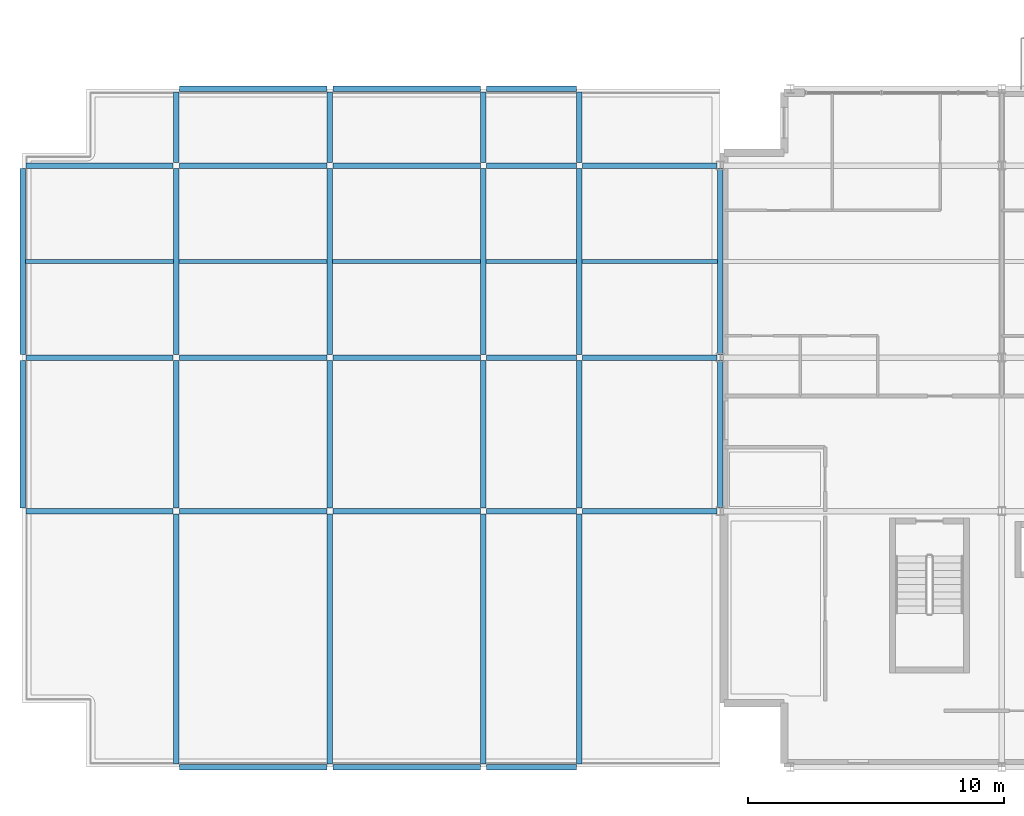
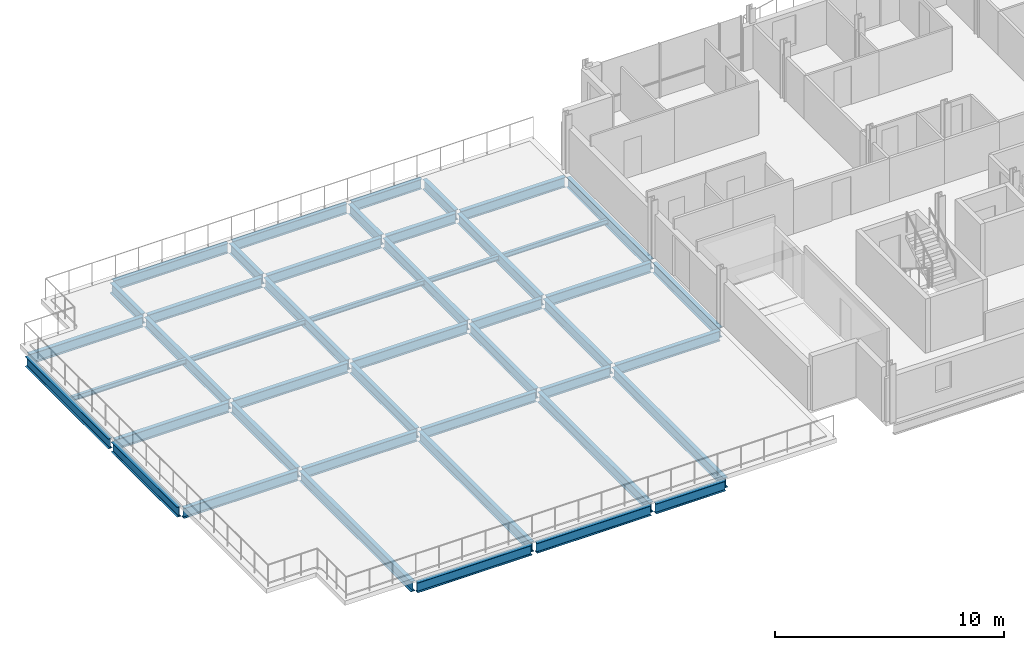
# One storey, part 2 of 17: 46 beams.
"""IFC4 building model written with IfcOpenShell, lengths in metres."""

from ifc_helpers import new_model, si_unit, direction, frame, origin, origin_2d, place, context, subcontext, project, spatial, i_section, extrude, material, material_profile, profile_set, type_object, element, save


model = new_model("IFC4")

# Units and contexts
model_context = context("Model", 3, precision=1e-05, world=origin(), true_north=direction((0.0, 1.0)))
body_context = subcontext(model_context, "Body", "Model", "MODEL_VIEW")
ifc_project = project(units=[si_unit("LENGTHUNIT", "METRE"), si_unit("AREAUNIT", "SQUARE_METRE"), si_unit("VOLUMEUNIT", "CUBIC_METRE"), si_unit("PLANEANGLEUNIT", "RADIAN"), si_unit("MASSUNIT", "GRAM", prefix="KILO")], contexts=[model_context])

# Site, building, storey
site_placement = place(None, origin())
site = spatial("IfcSite", under=ifc_project, at=site_placement, CompositionType="ELEMENT")
building_placement = place(site_placement, origin())
building = spatial("IfcBuilding", under=site, at=building_placement, Name="Brevholm Reach", CompositionType="ELEMENT")
storey_placement = place(building_placement, frame((0.0, 0.0, 221.10009765625)))
storey = spatial("IfcBuildingStorey", under=building, at=storey_placement, Name="L67", CompositionType="ELEMENT", Elevation=221.10009765625)

# Beams
ifc_material_1 = material(Name="Structural Steel S355J2", Category="steel")
ifc_material_profile_1 = material_profile(ifc_material_1, i_section(OverallWidth=0.14599609375, OverallDepth=0.25146484375, WebThickness=0.006103515625, FlangeThickness=0.008544921875, FilletRadius=0.007568359375, at=origin_2d()), Name="UKB 254x146x31")
ifc_profile_set_1 = profile_set([ifc_material_profile_1], Name="Structural Steel S355J2")
beam_type_1 = type_object("IfcBeamType", Name="BM-B254", PredefinedType="BEAM", material=ifc_profile_set_1)
beam_1_placement = place(storey_placement, frame((0.104736328125, 19.75, -0.335693359375), z_axis=(1.0, 0.0, 0.0), x_axis=(0.0, 1.0, 0.0)))
element("IfcBeam", 1, at=beam_1_placement, inside=storey, type_object=beam_type_1, Name="L67 Composite Secondary Floor Beam", PredefinedType="BEAM", context=body_context, shape_type="SweptSolid", body=[
    extrude(i_section(OverallWidth=0.14599609375, OverallDepth=0.25146484375, WebThickness=0.006103515625, FlangeThickness=0.008544921875, FilletRadius=0.007568359375, at=origin_2d()), origin(), (0.0, 0.0, 1.0), 5.789794921875),
])
for number, where, z_axis, x_axis, name in (
    (2, (6.10546875, 19.75, -0.335693359375), (1.0, 0.0, 0.0), (0.0, 1.0, 0.0), "L67 Composite Secondary Floor Beam"),
    (3, (12.10546875, 19.75, -0.335693359375), (1.0, 0.0, 0.0), (0.0, 1.0, 0.0), "L67 Composite Secondary Floor Beam"),
):
    element("IfcBeam", number, at=place(storey_placement, frame(where, z_axis=z_axis, x_axis=x_axis)), inside=storey, type_object=beam_type_1, Name=name, PredefinedType="BEAM", context=body_context, shape_type="SweptSolid", body=[
        extrude(i_section(OverallWidth=0.14599609375, OverallDepth=0.25146484375, WebThickness=0.006103515625, FlangeThickness=0.008544921875, FilletRadius=0.007568359375, at=origin_2d()), origin(), (0.0, 0.0, 1.0), 5.7890625),
    ])
beam_2_placement = place(storey_placement, frame((18.10546875, 19.75, -0.335693359375), z_axis=(1.0, 0.0, 0.0), x_axis=(0.0, 1.0, 0.0)))
element("IfcBeam", 4, at=beam_2_placement, inside=storey, type_object=beam_type_1, Name="L67 Composite Secondary Floor Beam", PredefinedType="BEAM", context=body_context, shape_type="SweptSolid", body=[
    extrude(i_section(OverallWidth=0.14599609375, OverallDepth=0.25146484375, WebThickness=0.006103515625, FlangeThickness=0.008544921875, FilletRadius=0.007568359375, at=origin_2d()), origin(), (0.0, 0.0, 1.0), 3.5390625),
])
beam_3_placement = place(storey_placement, frame((21.85546875, 19.75, -0.335693359375), z_axis=(1.0, 0.0, 0.0), x_axis=(0.0, 1.0, 0.0)))
element("IfcBeam", 5, at=beam_3_placement, inside=storey, type_object=beam_type_1, Name="L67 Composite Secondary Floor Beam", PredefinedType="BEAM", context=body_context, shape_type="SweptSolid", body=[
    extrude(i_section(OverallWidth=0.14599609375, OverallDepth=0.25146484375, WebThickness=0.006103515625, FlangeThickness=0.008544921875, FilletRadius=0.007568359375, at=origin_2d()), origin(), (0.0, 0.0, 1.0), 5.289794921875),
])
ifc_material_2 = material(Name="Structural Steel S355J2", Category="steel")
ifc_material_profile_2 = material_profile(ifc_material_2, i_section(OverallWidth=0.209228515625, OverallDepth=0.533203125, WebThickness=0.010009765625, FlangeThickness=0.015625, FilletRadius=0.0126953125, at=origin_2d()), Name="UKB 533x210x92")
ifc_profile_set_2 = profile_set([ifc_material_profile_2], Name="Structural Steel S355J2")
beam_type_2 = type_object("IfcBeamType", Name="BM-SP533", PredefinedType="SPANDREL", material=ifc_profile_set_2)
for number, where, z_axis, x_axis, name in (
    (6, (6.1201171875, 0.0, -0.4765625), (1.0, 0.0, 0.0), (0.0, 1.0, 0.0), "L67 SP-02 Framing Beam"),
    (7, (12.1201171875, 0.0, -0.4765625), (1.0, 0.0, 0.0), (0.0, 1.0, 0.0), "L67 SP-02 Framing Beam"),
):
    element("IfcBeam", number, at=place(storey_placement, frame(where, z_axis=z_axis, x_axis=x_axis)), inside=storey, type_object=beam_type_2, Name=name, PredefinedType="SPANDREL", context=body_context, shape_type="SweptSolid", body=[
        extrude(i_section(OverallWidth=0.209228515625, OverallDepth=0.533203125, WebThickness=0.010009765625, FlangeThickness=0.015625, FilletRadius=0.0126953125, at=origin_2d()), origin(), (0.0, 0.0, 1.0), 5.759765625),
    ])
beam_4_placement = place(storey_placement, frame((18.1201171875, 0.0, -0.4765625), z_axis=(1.0, 0.0, 0.0), x_axis=(0.0, 1.0, 0.0)))
element("IfcBeam", 8, at=beam_4_placement, inside=storey, type_object=beam_type_2, Name="L67 SP-02 Framing Beam", PredefinedType="SPANDREL", context=body_context, shape_type="SweptSolid", body=[
    extrude(i_section(OverallWidth=0.209228515625, OverallDepth=0.533203125, WebThickness=0.010009765625, FlangeThickness=0.015625, FilletRadius=0.0126953125, at=origin_2d()), origin(), (0.0, 0.0, 1.0), 3.509765625),
])
for number, where, z_axis, x_axis, name in (
    (9, (6.1201171875, 26.5, -0.4765625), (1.0, 0.0, 0.0), (0.0, 1.0, 0.0), "L67 SP-02 Framing Beam"),
    (10, (12.1201171875, 26.5, -0.4765625), (1.0, 0.0, 0.0), (0.0, 1.0, 0.0), "L67 SP-02 Framing Beam"),
):
    element("IfcBeam", number, at=place(storey_placement, frame(where, z_axis=z_axis, x_axis=x_axis)), inside=storey, type_object=beam_type_2, Name=name, PredefinedType="SPANDREL", context=body_context, shape_type="SweptSolid", body=[
        extrude(i_section(OverallWidth=0.209228515625, OverallDepth=0.533203125, WebThickness=0.010009765625, FlangeThickness=0.015625, FilletRadius=0.0126953125, at=origin_2d()), origin(), (0.0, 0.0, 1.0), 5.759765625),
    ])
beam_5_placement = place(storey_placement, frame((18.1201171875, 26.5, -0.4765625), z_axis=(1.0, 0.0, 0.0), x_axis=(0.0, 1.0, 0.0)))
element("IfcBeam", 11, at=beam_5_placement, inside=storey, type_object=beam_type_2, Name="L67 SP-02 Framing Beam", PredefinedType="SPANDREL", context=body_context, shape_type="SweptSolid", body=[
    extrude(i_section(OverallWidth=0.209228515625, OverallDepth=0.533203125, WebThickness=0.010009765625, FlangeThickness=0.015625, FilletRadius=0.0126953125, at=origin_2d()), origin(), (0.0, 0.0, 1.0), 3.509765625),
])
beam_6_placement = place(storey_placement, frame((0.0, 10.1201171875, -0.4765625), z_axis=(0.0, 1.0, 0.0), x_axis=(-1.0, 0.0, 0.0)))
element("IfcBeam", 12, at=beam_6_placement, inside=storey, type_object=beam_type_2, Name="L67 SP-02 Framing Beam", PredefinedType="SPANDREL", context=body_context, shape_type="SweptSolid", body=[
    extrude(i_section(OverallWidth=0.209228515625, OverallDepth=0.533203125, WebThickness=0.010009765625, FlangeThickness=0.015625, FilletRadius=0.0126953125, at=origin_2d()), origin(), (0.0, 0.0, 1.0), 5.759765625),
])
beam_7_placement = place(storey_placement, frame((0.0, 16.1201171875, -0.4765625), z_axis=(0.0, 1.0, 0.0), x_axis=(-1.0, 0.0, 0.0)))
element("IfcBeam", 13, at=beam_7_placement, inside=storey, type_object=beam_type_2, Name="L67 SP-02 Framing Beam", PredefinedType="SPANDREL", context=body_context, shape_type="SweptSolid", body=[
    extrude(i_section(OverallWidth=0.209228515625, OverallDepth=0.533203125, WebThickness=0.010009765625, FlangeThickness=0.015625, FilletRadius=0.0126953125, at=origin_2d()), origin(), (0.0, 0.0, 1.0), 7.259765625),
])
beam_8_placement = place(storey_placement, frame((27.25, 10.1201171875, -0.4765625), z_axis=(0.0, 1.0, 0.0), x_axis=(-1.0, 0.0, 0.0)))
element("IfcBeam", 14, at=beam_8_placement, inside=storey, type_object=beam_type_2, Name="L67 SP-02 Framing Beam", PredefinedType="SPANDREL", context=body_context, shape_type="SweptSolid", body=[
    extrude(i_section(OverallWidth=0.209228515625, OverallDepth=0.533203125, WebThickness=0.010009765625, FlangeThickness=0.015625, FilletRadius=0.0126953125, at=origin_2d()), origin(), (0.0, 0.0, 1.0), 5.759765625),
])
beam_9_placement = place(storey_placement, frame((27.25, 16.1201171875, -0.4765625), z_axis=(0.0, 1.0, 0.0), x_axis=(-1.0, 0.0, 0.0)))
element("IfcBeam", 15, at=beam_9_placement, inside=storey, type_object=beam_type_2, Name="L67 SP-02 Framing Beam", PredefinedType="SPANDREL", context=body_context, shape_type="SweptSolid", body=[
    extrude(i_section(OverallWidth=0.209228515625, OverallDepth=0.533203125, WebThickness=0.010009765625, FlangeThickness=0.015625, FilletRadius=0.0126953125, at=origin_2d()), origin(), (0.0, 0.0, 1.0), 7.259765625),
])
ifc_material_3 = material(Name="Structural Steel S355J2", Category="steel")
ifc_material_profile_3 = material_profile(ifc_material_3, i_section(OverallWidth=0.210693359375, OverallDepth=0.53955078125, WebThickness=0.01171875, FlangeThickness=0.018798828125, FilletRadius=0.0126953125, at=origin_2d()), Name="UKB 533x210x109")
ifc_profile_set_3 = profile_set([ifc_material_profile_3], Name="Structural Steel S355J2")
beam_type_3 = type_object("IfcBeamType", Name="BM-SP539", PredefinedType="SPANDREL", material=ifc_profile_set_3)
for number, where, z_axis, x_axis, name in (
    (16, (0.1201171875, 10.0, -0.479736328125), (1.0, 0.0, 0.0), (0.0, 1.0, 0.0), "L67 SP-01B Framing Beam"),
    (17, (6.1201171875, 10.0, -0.479736328125), (1.0, 0.0, 0.0), (0.0, 1.0, 0.0), "L67 SP-01B Framing Beam"),
    (18, (12.1201171875, 10.0, -0.479736328125), (1.0, 0.0, 0.0), (0.0, 1.0, 0.0), "L67 SP-01B Framing Beam"),
):
    element("IfcBeam", number, at=place(storey_placement, frame(where, z_axis=z_axis, x_axis=x_axis)), inside=storey, type_object=beam_type_3, Name=name, PredefinedType="SPANDREL", context=body_context, shape_type="SweptSolid", body=[
        extrude(i_section(OverallWidth=0.210693359375, OverallDepth=0.53955078125, WebThickness=0.01171875, FlangeThickness=0.018798828125, FilletRadius=0.0126953125, at=origin_2d()), origin(), (0.0, 0.0, 1.0), 5.759765625),
    ])
beam_10_placement = place(storey_placement, frame((18.1201171875, 10.0, -0.479736328125), z_axis=(1.0, 0.0, 0.0), x_axis=(0.0, 1.0, 0.0)))
element("IfcBeam", 19, at=beam_10_placement, inside=storey, type_object=beam_type_3, Name="L67 SP-01B Framing Beam", PredefinedType="SPANDREL", context=body_context, shape_type="SweptSolid", body=[
    extrude(i_section(OverallWidth=0.210693359375, OverallDepth=0.53955078125, WebThickness=0.01171875, FlangeThickness=0.018798828125, FilletRadius=0.0126953125, at=origin_2d()), origin(), (0.0, 0.0, 1.0), 3.509765625),
])
beam_11_placement = place(storey_placement, frame((21.8701171875, 10.0, -0.479736328125), z_axis=(1.0, 0.0, 0.0), x_axis=(0.0, 1.0, 0.0)))
element("IfcBeam", 20, at=beam_11_placement, inside=storey, type_object=beam_type_3, Name="L67 SP-01B Framing Beam", PredefinedType="SPANDREL", context=body_context, shape_type="SweptSolid", body=[
    extrude(i_section(OverallWidth=0.210693359375, OverallDepth=0.53955078125, WebThickness=0.01171875, FlangeThickness=0.018798828125, FilletRadius=0.0126953125, at=origin_2d()), origin(), (0.0, 0.0, 1.0), 5.259765625),
])
for number, where, z_axis, x_axis, name in (
    (21, (0.1201171875, 16.0, -0.479736328125), (1.0, 0.0, 0.0), (0.0, 1.0, 0.0), "L67 SP-01B Framing Beam"),
    (22, (6.1201171875, 16.0, -0.479736328125), (1.0, 0.0, 0.0), (0.0, 1.0, 0.0), "L67 SP-01B Framing Beam"),
    (23, (12.1201171875, 16.0, -0.479736328125), (1.0, 0.0, 0.0), (0.0, 1.0, 0.0), "L67 SP-01B Framing Beam"),
):
    element("IfcBeam", number, at=place(storey_placement, frame(where, z_axis=z_axis, x_axis=x_axis)), inside=storey, type_object=beam_type_3, Name=name, PredefinedType="SPANDREL", context=body_context, shape_type="SweptSolid", body=[
        extrude(i_section(OverallWidth=0.210693359375, OverallDepth=0.53955078125, WebThickness=0.01171875, FlangeThickness=0.018798828125, FilletRadius=0.0126953125, at=origin_2d()), origin(), (0.0, 0.0, 1.0), 5.759765625),
    ])
beam_12_placement = place(storey_placement, frame((18.1201171875, 16.0, -0.479736328125), z_axis=(1.0, 0.0, 0.0), x_axis=(0.0, 1.0, 0.0)))
element("IfcBeam", 24, at=beam_12_placement, inside=storey, type_object=beam_type_3, Name="L67 SP-01B Framing Beam", PredefinedType="SPANDREL", context=body_context, shape_type="SweptSolid", body=[
    extrude(i_section(OverallWidth=0.210693359375, OverallDepth=0.53955078125, WebThickness=0.01171875, FlangeThickness=0.018798828125, FilletRadius=0.0126953125, at=origin_2d()), origin(), (0.0, 0.0, 1.0), 3.509765625),
])
beam_13_placement = place(storey_placement, frame((21.8701171875, 16.0, -0.479736328125), z_axis=(1.0, 0.0, 0.0), x_axis=(0.0, 1.0, 0.0)))
element("IfcBeam", 25, at=beam_13_placement, inside=storey, type_object=beam_type_3, Name="L67 SP-01B Framing Beam", PredefinedType="SPANDREL", context=body_context, shape_type="SweptSolid", body=[
    extrude(i_section(OverallWidth=0.210693359375, OverallDepth=0.53955078125, WebThickness=0.01171875, FlangeThickness=0.018798828125, FilletRadius=0.0126953125, at=origin_2d()), origin(), (0.0, 0.0, 1.0), 5.259765625),
])
for number, where, z_axis, x_axis, name in (
    (26, (0.1201171875, 23.5, -0.479736328125), (1.0, 0.0, 0.0), (0.0, 1.0, 0.0), "L67 SP-01B Framing Beam"),
    (27, (6.1201171875, 23.5, -0.479736328125), (1.0, 0.0, 0.0), (0.0, 1.0, 0.0), "L67 SP-01B Framing Beam"),
    (28, (12.1201171875, 23.5, -0.479736328125), (1.0, 0.0, 0.0), (0.0, 1.0, 0.0), "L67 SP-01B Framing Beam"),
):
    element("IfcBeam", number, at=place(storey_placement, frame(where, z_axis=z_axis, x_axis=x_axis)), inside=storey, type_object=beam_type_3, Name=name, PredefinedType="SPANDREL", context=body_context, shape_type="SweptSolid", body=[
        extrude(i_section(OverallWidth=0.210693359375, OverallDepth=0.53955078125, WebThickness=0.01171875, FlangeThickness=0.018798828125, FilletRadius=0.0126953125, at=origin_2d()), origin(), (0.0, 0.0, 1.0), 5.759765625),
    ])
beam_14_placement = place(storey_placement, frame((18.1201171875, 23.5, -0.479736328125), z_axis=(1.0, 0.0, 0.0), x_axis=(0.0, 1.0, 0.0)))
element("IfcBeam", 29, at=beam_14_placement, inside=storey, type_object=beam_type_3, Name="L67 SP-01B Framing Beam", PredefinedType="SPANDREL", context=body_context, shape_type="SweptSolid", body=[
    extrude(i_section(OverallWidth=0.210693359375, OverallDepth=0.53955078125, WebThickness=0.01171875, FlangeThickness=0.018798828125, FilletRadius=0.0126953125, at=origin_2d()), origin(), (0.0, 0.0, 1.0), 3.509765625),
])
beam_15_placement = place(storey_placement, frame((21.8701171875, 23.5, -0.479736328125), z_axis=(1.0, 0.0, 0.0), x_axis=(0.0, 1.0, 0.0)))
element("IfcBeam", 30, at=beam_15_placement, inside=storey, type_object=beam_type_3, Name="L67 SP-01B Framing Beam", PredefinedType="SPANDREL", context=body_context, shape_type="SweptSolid", body=[
    extrude(i_section(OverallWidth=0.210693359375, OverallDepth=0.53955078125, WebThickness=0.01171875, FlangeThickness=0.018798828125, FilletRadius=0.0126953125, at=origin_2d()), origin(), (0.0, 0.0, 1.0), 5.259765625),
])
beam_16_placement = place(storey_placement, frame((6.0, 0.1201171875, -0.479736328125), z_axis=(0.0, 1.0, 0.0), x_axis=(-1.0, 0.0, 0.0)))
element("IfcBeam", 31, at=beam_16_placement, inside=storey, type_object=beam_type_3, Name="L67 SP-01B Framing Beam", PredefinedType="SPANDREL", context=body_context, shape_type="SweptSolid", body=[
    extrude(i_section(OverallWidth=0.210693359375, OverallDepth=0.53955078125, WebThickness=0.01171875, FlangeThickness=0.018798828125, FilletRadius=0.0126953125, at=origin_2d()), origin(), (0.0, 0.0, 1.0), 9.759765625),
])
beam_17_placement = place(storey_placement, frame((6.0, 10.1201171875, -0.479736328125), z_axis=(0.0, 1.0, 0.0), x_axis=(-1.0, 0.0, 0.0)))
element("IfcBeam", 32, at=beam_17_placement, inside=storey, type_object=beam_type_3, Name="L67 SP-01B Framing Beam", PredefinedType="SPANDREL", context=body_context, shape_type="SweptSolid", body=[
    extrude(i_section(OverallWidth=0.210693359375, OverallDepth=0.53955078125, WebThickness=0.01171875, FlangeThickness=0.018798828125, FilletRadius=0.0126953125, at=origin_2d()), origin(), (0.0, 0.0, 1.0), 5.759765625),
])
beam_18_placement = place(storey_placement, frame((6.0, 16.1201171875, -0.479736328125), z_axis=(0.0, 1.0, 0.0), x_axis=(-1.0, 0.0, 0.0)))
element("IfcBeam", 33, at=beam_18_placement, inside=storey, type_object=beam_type_3, Name="L67 SP-01B Framing Beam", PredefinedType="SPANDREL", context=body_context, shape_type="SweptSolid", body=[
    extrude(i_section(OverallWidth=0.210693359375, OverallDepth=0.53955078125, WebThickness=0.01171875, FlangeThickness=0.018798828125, FilletRadius=0.0126953125, at=origin_2d()), origin(), (0.0, 0.0, 1.0), 7.259765625),
])
beam_19_placement = place(storey_placement, frame((6.0, 23.6201171875, -0.479736328125), z_axis=(0.0, 1.0, 0.0), x_axis=(-1.0, 0.0, 0.0)))
element("IfcBeam", 34, at=beam_19_placement, inside=storey, type_object=beam_type_3, Name="L67 SP-01B Framing Beam", PredefinedType="SPANDREL", context=body_context, shape_type="SweptSolid", body=[
    extrude(i_section(OverallWidth=0.210693359375, OverallDepth=0.53955078125, WebThickness=0.01171875, FlangeThickness=0.018798828125, FilletRadius=0.0126953125, at=origin_2d()), origin(), (0.0, 0.0, 1.0), 2.759765625),
])
beam_20_placement = place(storey_placement, frame((12.0, 0.1201171875, -0.479736328125), z_axis=(0.0, 1.0, 0.0), x_axis=(-1.0, 0.0, 0.0)))
element("IfcBeam", 35, at=beam_20_placement, inside=storey, type_object=beam_type_3, Name="L67 SP-01B Framing Beam", PredefinedType="SPANDREL", context=body_context, shape_type="SweptSolid", body=[
    extrude(i_section(OverallWidth=0.210693359375, OverallDepth=0.53955078125, WebThickness=0.01171875, FlangeThickness=0.018798828125, FilletRadius=0.0126953125, at=origin_2d()), origin(), (0.0, 0.0, 1.0), 9.759765625),
])
beam_21_placement = place(storey_placement, frame((12.0, 10.1201171875, -0.479736328125), z_axis=(0.0, 1.0, 0.0), x_axis=(-1.0, 0.0, 0.0)))
element("IfcBeam", 36, at=beam_21_placement, inside=storey, type_object=beam_type_3, Name="L67 SP-01B Framing Beam", PredefinedType="SPANDREL", context=body_context, shape_type="SweptSolid", body=[
    extrude(i_section(OverallWidth=0.210693359375, OverallDepth=0.53955078125, WebThickness=0.01171875, FlangeThickness=0.018798828125, FilletRadius=0.0126953125, at=origin_2d()), origin(), (0.0, 0.0, 1.0), 5.759765625),
])
beam_22_placement = place(storey_placement, frame((12.0, 16.1201171875, -0.479736328125), z_axis=(0.0, 1.0, 0.0), x_axis=(-1.0, 0.0, 0.0)))
element("IfcBeam", 37, at=beam_22_placement, inside=storey, type_object=beam_type_3, Name="L67 SP-01B Framing Beam", PredefinedType="SPANDREL", context=body_context, shape_type="SweptSolid", body=[
    extrude(i_section(OverallWidth=0.210693359375, OverallDepth=0.53955078125, WebThickness=0.01171875, FlangeThickness=0.018798828125, FilletRadius=0.0126953125, at=origin_2d()), origin(), (0.0, 0.0, 1.0), 7.259765625),
])
beam_23_placement = place(storey_placement, frame((12.0, 23.6201171875, -0.479736328125), z_axis=(0.0, 1.0, 0.0), x_axis=(-1.0, 0.0, 0.0)))
element("IfcBeam", 38, at=beam_23_placement, inside=storey, type_object=beam_type_3, Name="L67 SP-01B Framing Beam", PredefinedType="SPANDREL", context=body_context, shape_type="SweptSolid", body=[
    extrude(i_section(OverallWidth=0.210693359375, OverallDepth=0.53955078125, WebThickness=0.01171875, FlangeThickness=0.018798828125, FilletRadius=0.0126953125, at=origin_2d()), origin(), (0.0, 0.0, 1.0), 2.759765625),
])
beam_24_placement = place(storey_placement, frame((18.0, 0.1201171875, -0.479736328125), z_axis=(0.0, 1.0, 0.0), x_axis=(-1.0, 0.0, 0.0)))
element("IfcBeam", 39, at=beam_24_placement, inside=storey, type_object=beam_type_3, Name="L67 SP-01B Framing Beam", PredefinedType="SPANDREL", context=body_context, shape_type="SweptSolid", body=[
    extrude(i_section(OverallWidth=0.210693359375, OverallDepth=0.53955078125, WebThickness=0.01171875, FlangeThickness=0.018798828125, FilletRadius=0.0126953125, at=origin_2d()), origin(), (0.0, 0.0, 1.0), 9.759765625),
])
beam_25_placement = place(storey_placement, frame((18.0, 10.1201171875, -0.479736328125), z_axis=(0.0, 1.0, 0.0), x_axis=(-1.0, 0.0, 0.0)))
element("IfcBeam", 40, at=beam_25_placement, inside=storey, type_object=beam_type_3, Name="L67 SP-01B Framing Beam", PredefinedType="SPANDREL", context=body_context, shape_type="SweptSolid", body=[
    extrude(i_section(OverallWidth=0.210693359375, OverallDepth=0.53955078125, WebThickness=0.01171875, FlangeThickness=0.018798828125, FilletRadius=0.0126953125, at=origin_2d()), origin(), (0.0, 0.0, 1.0), 5.759765625),
])
beam_26_placement = place(storey_placement, frame((18.0, 16.1201171875, -0.479736328125), z_axis=(0.0, 1.0, 0.0), x_axis=(-1.0, 0.0, 0.0)))
element("IfcBeam", 41, at=beam_26_placement, inside=storey, type_object=beam_type_3, Name="L67 SP-01B Framing Beam", PredefinedType="SPANDREL", context=body_context, shape_type="SweptSolid", body=[
    extrude(i_section(OverallWidth=0.210693359375, OverallDepth=0.53955078125, WebThickness=0.01171875, FlangeThickness=0.018798828125, FilletRadius=0.0126953125, at=origin_2d()), origin(), (0.0, 0.0, 1.0), 7.259765625),
])
beam_27_placement = place(storey_placement, frame((18.0, 23.6201171875, -0.479736328125), z_axis=(0.0, 1.0, 0.0), x_axis=(-1.0, 0.0, 0.0)))
element("IfcBeam", 42, at=beam_27_placement, inside=storey, type_object=beam_type_3, Name="L67 SP-01B Framing Beam", PredefinedType="SPANDREL", context=body_context, shape_type="SweptSolid", body=[
    extrude(i_section(OverallWidth=0.210693359375, OverallDepth=0.53955078125, WebThickness=0.01171875, FlangeThickness=0.018798828125, FilletRadius=0.0126953125, at=origin_2d()), origin(), (0.0, 0.0, 1.0), 2.759765625),
])
beam_28_placement = place(storey_placement, frame((21.75, 0.1201171875, -0.479736328125), z_axis=(0.0, 1.0, 0.0), x_axis=(-1.0, 0.0, 0.0)))
element("IfcBeam", 43, at=beam_28_placement, inside=storey, type_object=beam_type_3, Name="L67 SP-01B Framing Beam", PredefinedType="SPANDREL", context=body_context, shape_type="SweptSolid", body=[
    extrude(i_section(OverallWidth=0.210693359375, OverallDepth=0.53955078125, WebThickness=0.01171875, FlangeThickness=0.018798828125, FilletRadius=0.0126953125, at=origin_2d()), origin(), (0.0, 0.0, 1.0), 9.759765625),
])
beam_29_placement = place(storey_placement, frame((21.75, 10.1201171875, -0.479736328125), z_axis=(0.0, 1.0, 0.0), x_axis=(-1.0, 0.0, 0.0)))
element("IfcBeam", 44, at=beam_29_placement, inside=storey, type_object=beam_type_3, Name="L67 SP-01B Framing Beam", PredefinedType="SPANDREL", context=body_context, shape_type="SweptSolid", body=[
    extrude(i_section(OverallWidth=0.210693359375, OverallDepth=0.53955078125, WebThickness=0.01171875, FlangeThickness=0.018798828125, FilletRadius=0.0126953125, at=origin_2d()), origin(), (0.0, 0.0, 1.0), 5.759765625),
])
beam_30_placement = place(storey_placement, frame((21.75, 16.1201171875, -0.479736328125), z_axis=(0.0, 1.0, 0.0), x_axis=(-1.0, 0.0, 0.0)))
element("IfcBeam", 45, at=beam_30_placement, inside=storey, type_object=beam_type_3, Name="L67 SP-01B Framing Beam", PredefinedType="SPANDREL", context=body_context, shape_type="SweptSolid", body=[
    extrude(i_section(OverallWidth=0.210693359375, OverallDepth=0.53955078125, WebThickness=0.01171875, FlangeThickness=0.018798828125, FilletRadius=0.0126953125, at=origin_2d()), origin(), (0.0, 0.0, 1.0), 7.259765625),
])
beam_31_placement = place(storey_placement, frame((21.75, 23.6201171875, -0.479736328125), z_axis=(0.0, 1.0, 0.0), x_axis=(-1.0, 0.0, 0.0)))
element("IfcBeam", 46, at=beam_31_placement, inside=storey, type_object=beam_type_3, Name="L67 SP-01B Framing Beam", PredefinedType="SPANDREL", context=body_context, shape_type="SweptSolid", body=[
    extrude(i_section(OverallWidth=0.210693359375, OverallDepth=0.53955078125, WebThickness=0.01171875, FlangeThickness=0.018798828125, FilletRadius=0.0126953125, at=origin_2d()), origin(), (0.0, 0.0, 1.0), 2.759765625),
])

save(model, "model.ifc")
